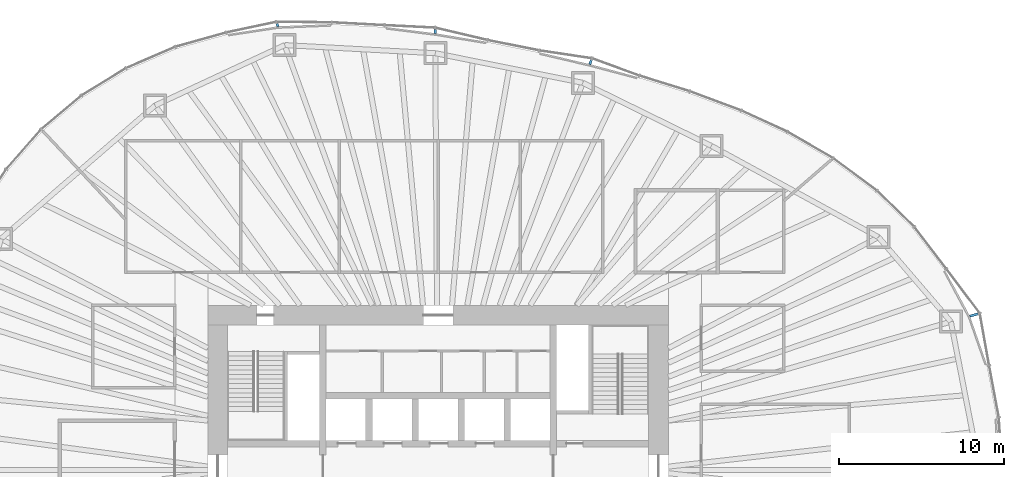
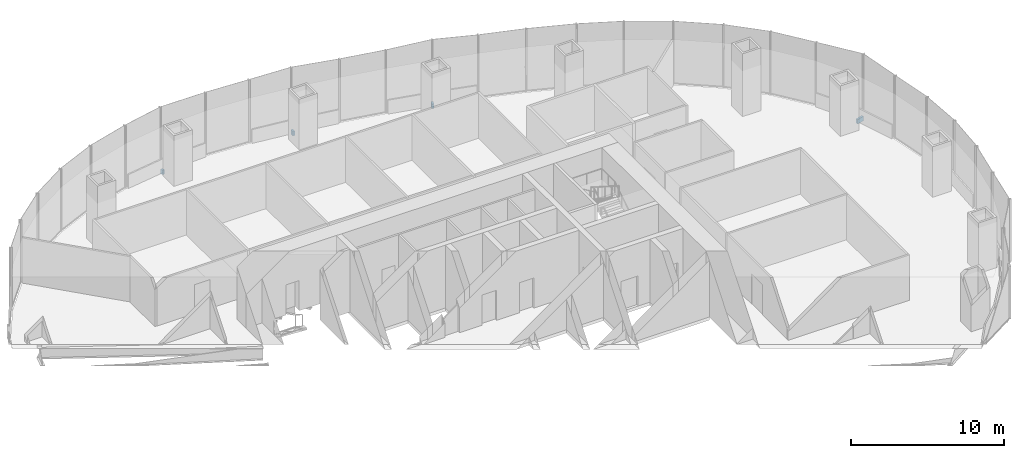
# One storey, part 15 of 18: 4 discrete accessories.
"""IFC4 building model written with IfcOpenShell, lengths in metres."""

from ifc_helpers import new_model, si_unit, direction, frame, origin, origin_2d, place, context, subcontext, project, spatial, rectangle, extrude, material, type_object, element, save


model = new_model("IFC4")

# Units and contexts
model_context = context("Model", 3, precision=1e-05, world=origin(), true_north=direction((0.0, 1.0)))
body_context = subcontext(model_context, "Body", "Model", "MODEL_VIEW")
ifc_project = project(units=[si_unit("LENGTHUNIT", "METRE"), si_unit("AREAUNIT", "SQUARE_METRE"), si_unit("VOLUMEUNIT", "CUBIC_METRE"), si_unit("PLANEANGLEUNIT", "RADIAN"), si_unit("MASSUNIT", "GRAM", prefix="KILO")], contexts=[model_context])

# Site, building, storey
site_placement = place(None, origin())
site = spatial("IfcSite", under=ifc_project, at=site_placement, CompositionType="ELEMENT")
building_placement = place(site_placement, origin())
building = spatial("IfcBuilding", under=site, at=building_placement, Name="Ghaith Harvest Tower", CompositionType="ELEMENT")
storey_placement = place(building_placement, frame((0.0, 0.0, 95.0)))
storey = spatial("IfcBuildingStorey", under=building, at=storey_placement, Name="L19", CompositionType="ELEMENT", Elevation=95.0)

# Discrete accessories
ifc_material_1 = material(Name="Stainless steel grade 1.4401", Category="steel")
discrete_accessory_type_1 = type_object("IfcDiscreteAccessoryType", Name="CURTAIN WALL BRACKET 205", PredefinedType="BRACKET", material=ifc_material_1)
discrete_accessory_1_placement = place(storey_placement, frame((-9.766845703125, 27.04150390625, -0.25), z_axis=(0.0, 0.0, 1.0), x_axis=(-0.339699453402, 0.94053404051, 0.0)))
element("IfcDiscreteAccessory", 1, at=discrete_accessory_1_placement, inside=storey, type_object=discrete_accessory_type_1, Name="CW-F bracket 1 bay 07 L19", PredefinedType="BRACKET", context=body_context, shape_type="SweptSolid", body=[
    extrude(rectangle(XDim=0.205078125, YDim=0.14990234375, at=origin_2d()), origin(), (0.0, 0.0, 1.0), 0.35009765625),
])
ifc_material_2 = material(Name="Stainless steel grade 1.4401", Category="steel")
discrete_accessory_type_2 = type_object("IfcDiscreteAccessoryType", Name="CURTAIN WALL BRACKET 255", PredefinedType="BRACKET", material=ifc_material_2)
discrete_accessory_2_placement = place(storey_placement, frame((-0.182373046875, 26.649658203125, -0.25), z_axis=(0.0, 0.0, 1.0), x_axis=(-0.006843747783, 0.999976581284, 0.0)))
element("IfcDiscreteAccessory", 2, at=discrete_accessory_2_placement, inside=storey, type_object=discrete_accessory_type_2, Name="CW-F bracket 1 bay 06 L19", PredefinedType="BRACKET", context=body_context, shape_type="SweptSolid", body=[
    extrude(rectangle(XDim=0.2548828125, YDim=0.14990234375, at=origin_2d()), origin(), (0.0, 0.0, 1.0), 0.35009765625),
])
ifc_material_3 = material(Name="Stainless steel grade 1.4401", Category="steel")
discrete_accessory_type_3 = type_object("IfcDiscreteAccessoryType", Name="CURTAIN WALL BRACKET 295", PredefinedType="BRACKET", material=ifc_material_3)
discrete_accessory_3_placement = place(storey_placement, frame((9.265380859375, 24.7841796875, -0.25), z_axis=(0.0, 0.0, 1.0), x_axis=(0.35016769709, 0.936687025593, 0.0)))
element("IfcDiscreteAccessory", 3, at=discrete_accessory_3_placement, inside=storey, type_object=discrete_accessory_type_3, Name="CW-F bracket 1 bay 05 L19", PredefinedType="BRACKET", context=body_context, shape_type="SweptSolid", body=[
    extrude(rectangle(XDim=0.294921875, YDim=0.14990234375, at=origin_2d()), origin(), (0.0, 0.0, 1.0), 0.35009765625),
])
ifc_material_4 = material(Name="Stainless steel grade 1.4401", Category="steel")
discrete_accessory_type_4 = type_object("IfcDiscreteAccessoryType", Name="CURTAIN WALL BRACKET 535", PredefinedType="BRACKET", material=ifc_material_4)
discrete_accessory_4_placement = place(storey_placement, frame((32.570556640625, 9.41357421875, -0.25), z_axis=(0.0, 0.0, 1.0), x_axis=(0.960680349985, 0.277656739792, 0.0)))
element("IfcDiscreteAccessory", 4, at=discrete_accessory_4_placement, inside=storey, type_object=discrete_accessory_type_4, Name="CW-F bracket 1 bay 02 L19", PredefinedType="BRACKET", context=body_context, shape_type="SweptSolid", body=[
    extrude(rectangle(XDim=0.534912109375, YDim=0.14990234375, at=origin_2d()), origin(), (0.0, 0.0, 1.0), 0.35009765625),
])

save(model, "model.ifc")
